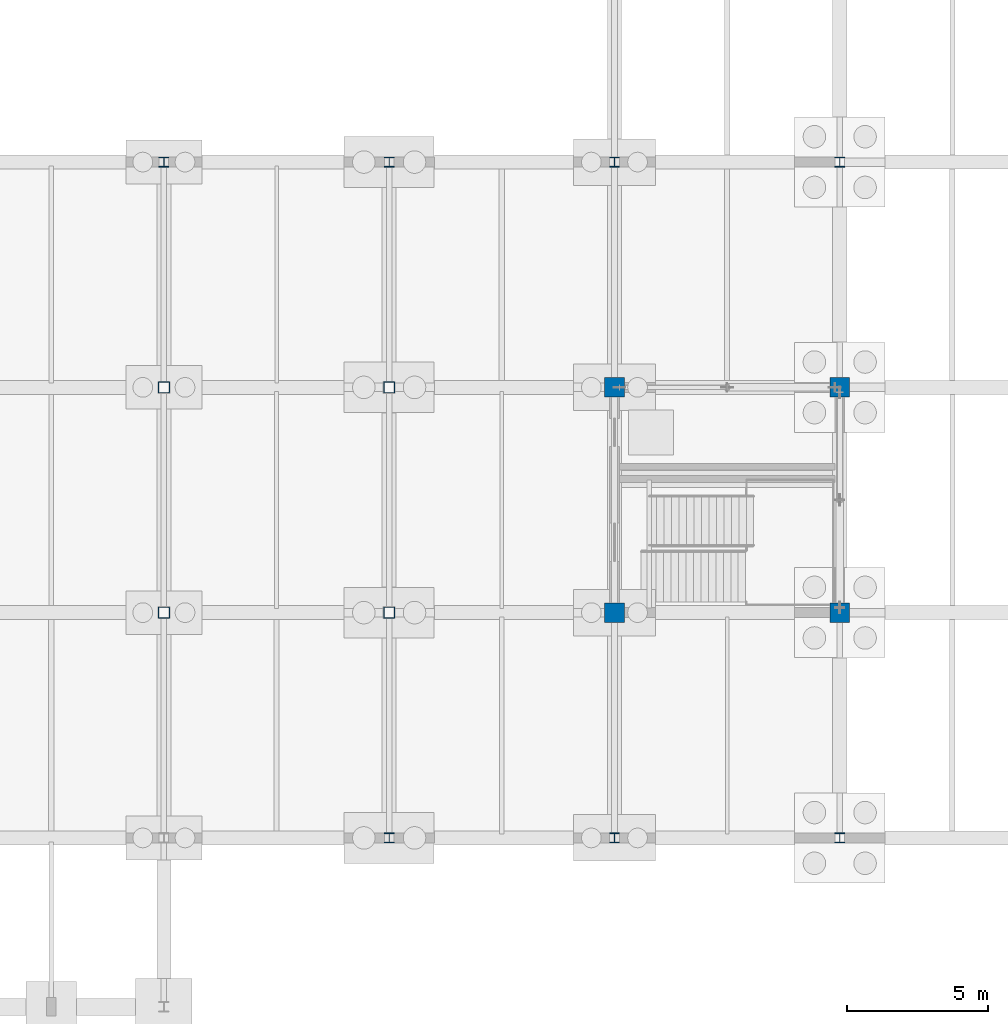
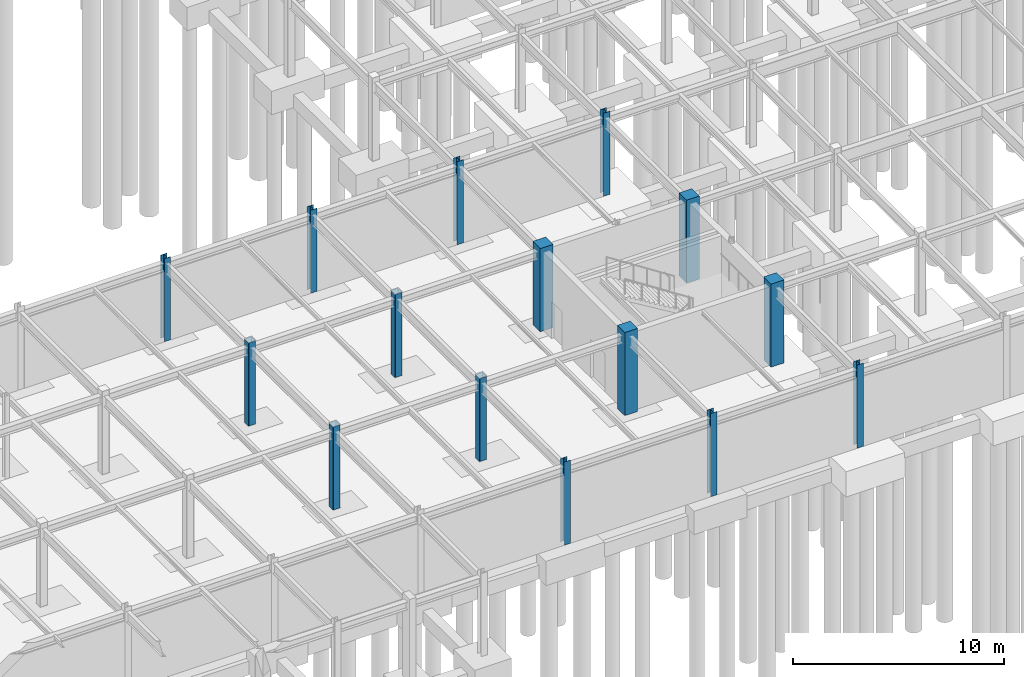
# One storey, part 18 of 72: 15 columns.
"""IFC4 building model written with IfcOpenShell, lengths in metres."""

import ifcopenshell
import ifcopenshell.guid

model = None  # the IFC model being written
_history = None  # IfcOwnerHistory: only IFC2X3 demands one
_inside = {}  # id of a spatial element -> (the spatial element, [elements in it])
_under = {}  # id of a project, library or spatial element -> (it, [spatial elements below it])
_declared = {}  # id of a project -> (the project, [libraries it declares])
_typed = {}  # id of a type object -> (the type object, [elements of that type])
_made_of = {}  # id of a material, layer set ... -> (it, [elements and type objects made of it])


def new_model(schema):
    """Start an empty IFC model of exactly this schema.

    Asked for "IFC4X3", IfcOpenShell would pick the latest addendum, in which some entities
    have other attributes; the version numbers below select the first issue.
    IFC2X3 requires an IfcOwnerHistory on every rooted entity: one is made here for all.
    """
    global model, _history
    if schema == "IFC4X3":
        model = ifcopenshell.file(schema_version=(4, 3, 0, 0))
    else:
        model = ifcopenshell.file(schema=schema)
    _inside.clear()
    _under.clear()
    _declared.clear()
    _typed.clear()
    _made_of.clear()
    _history = None
    if model.schema == "IFC2X3":
        org = make("IfcOrganization", Name="unknown")
        user = make(
            "IfcPersonAndOrganization",
            ThePerson=make("IfcPerson", FamilyName="unknown"),
            TheOrganization=org,
        )
        app = make(
            "IfcApplication",
            ApplicationDeveloper=org,
            Version="unknown",
            ApplicationFullName="unknown",
            ApplicationIdentifier="unknown",
        )
        _history = make(
            "IfcOwnerHistory",
            OwningUser=user,
            OwningApplication=app,
            ChangeAction="ADDED",
            CreationDate=0,
        )
    return model


def make(cls, **values):
    """One entity of the class cls with the attributes given. An attribute that is None is left unset."""
    return model.create_entity(
        cls, **{name: value for name, value in values.items() if value is not None}
    )


def rooted(cls, **values):
    """An entity with a GlobalId (a new one), such as an element, a storey or a relation."""
    return make(cls, GlobalId=ifcopenshell.guid.new(), OwnerHistory=_history, **values)


def si_unit(unit_type, name, prefix=None):
    """IfcSIUnit, for example si_unit("LENGTHUNIT", "METRE", prefix="MILLI")."""
    return make("IfcSIUnit", UnitType=unit_type, Prefix=prefix, Name=name)


def assignment(units):
    """IfcUnitAssignment: the units of a project."""
    return None if units is None else make("IfcUnitAssignment", Units=units)


def point(xyz):
    """IfcCartesianPoint."""
    return None if xyz is None else make("IfcCartesianPoint", Coordinates=xyz)


def direction(xyz):
    """IfcDirection."""
    return None if xyz is None else make("IfcDirection", DirectionRatios=xyz)


def frame(location, z_axis=None, x_axis=None):
    """IfcAxis2Placement3D, a coordinate frame: its origin and axes. An axis left out is left unset."""
    return make(
        "IfcAxis2Placement3D",
        Location=point(location),
        Axis=direction(z_axis),
        RefDirection=direction(x_axis),
    )


def frame_2d(location, x_axis=None):
    """IfcAxis2Placement2D, a coordinate frame in the plane: its origin and x axis."""
    return make(
        "IfcAxis2Placement2D", Location=point(location), RefDirection=direction(x_axis)
    )


def origin():
    """The frame at (0, 0, 0) with its axes left unset."""
    return frame((0.0, 0.0, 0.0))


def origin_2d():
    """The frame at (0, 0) in the plane with its x axis left unset."""
    return frame_2d((0.0, 0.0))


def place(relative_to, where):
    """IfcLocalPlacement: puts the frame where relative to a parent placement (None: the world)."""
    return make(
        "IfcLocalPlacement", PlacementRelTo=relative_to, RelativePlacement=where
    )


def context(
    kind, dimensions, precision=None, world=None, true_north=None, identifier=None
):
    """IfcGeometricRepresentationContext, for example the 3D "Model" context."""
    return make(
        "IfcGeometricRepresentationContext",
        ContextIdentifier=identifier,
        ContextType=kind,
        CoordinateSpaceDimension=dimensions,
        Precision=precision,
        WorldCoordinateSystem=world,
        TrueNorth=true_north,
    )


def subcontext(parent, identifier, kind, view, scale=None):
    """IfcGeometricRepresentationSubContext, for example "Body" below "Model"."""
    return make(
        "IfcGeometricRepresentationSubContext",
        ContextIdentifier=identifier,
        ContextType=kind,
        ParentContext=parent,
        TargetScale=scale,
        TargetView=view,
    )


def project(units=None, contexts=None):
    """IfcProject with its units and contexts."""
    return rooted(
        "IfcProject",
        Name="project",
        RepresentationContexts=contexts,
        UnitsInContext=assignment(units),
    )


def spatial(cls, under=None, at=None, **own):
    """A site, building, storey or space (cls), placed at a placement, below another one or the project."""
    s = rooted(cls, ObjectPlacement=at, **own)
    if under is not None:
        _under.setdefault(under.id(), (under, []))[1].append(s)
    return s


def profile(cls, at=None, kind="AREA", **sizes):
    """A parametric profile (cls). Its sizes go by their IFC names, for example OverallWidth=200.0."""
    return make(cls, ProfileType=kind, Position=at, **sizes)


def rectangle(**sizes):
    """IfcRectangleProfileDef."""
    return profile("IfcRectangleProfileDef", **sizes)


def hollow_rectangle(**sizes):
    """IfcRectangleHollowProfileDef."""
    return profile("IfcRectangleHollowProfileDef", **sizes)


def i_section(**sizes):
    """IfcIShapeProfileDef."""
    return profile("IfcIShapeProfileDef", **sizes)


def extrude(swept, where, along, depth):
    """IfcExtrudedAreaSolid: the profile swept, set in the frame where, extruded along a direction by depth."""
    return make(
        "IfcExtrudedAreaSolid",
        SweptArea=swept,
        Position=where,
        ExtrudedDirection=direction(along),
        Depth=depth,
    )


def shape(context_of_items, identifier, shape_type, items):
    """IfcShapeRepresentation: the items that make up one representation, for example the "Body"."""
    return make(
        "IfcShapeRepresentation",
        ContextOfItems=context_of_items,
        RepresentationIdentifier=identifier,
        RepresentationType=shape_type,
        Items=items,
    )


def material(Name=None, Category=None):
    """IfcMaterial."""
    return make("IfcMaterial", Name=Name, Category=Category)


def material_profile(
    of_material, cross_section, Name=None, Category=None, Priority=None
):
    """IfcMaterialProfile: a cross section and its material."""
    return make(
        "IfcMaterialProfile",
        Name=Name,
        Material=of_material,
        Profile=cross_section,
        Priority=Priority,
        Category=Category,
    )


def profile_set(profiles, Name=None, composite=None):
    """IfcMaterialProfileSet."""
    return make(
        "IfcMaterialProfileSet",
        Name=Name,
        MaterialProfiles=profiles,
        CompositeProfile=composite,
    )


def made_of(thing, what):
    """Note that an element or type object is made of a material, layer set ...; save() writes the relation."""
    if what is not None:
        _made_of.setdefault(what.id(), (what, []))[1].append(thing)
    return thing


def type_object(cls, material=None, **own):
    """A type object (cls), such as IfcWallType, which elements share."""
    return made_of(rooted(cls, **own), material)


def element(
    cls,
    number,
    at=None,
    inside=None,
    cuts=None,
    type_object=None,
    material=None,
    context=None,
    identifier="Body",
    shape_type=None,
    held_by="IfcProductDefinitionShape",
    body=None,
    shapes=None,
    **own,
):
    """One element of the class cls, such as IfcWall. Its Tag is "e" and its number.

    at: its placement. inside: the storey or other place that contains it. cuts: it is an
    opening in that element (IfcRelVoidsElement). A single representation is given by context,
    identifier, shape_type and body (its items); several are given by shapes. held_by: the class
    of the entity that holds the representations. save() writes the other relations.
    """
    e = rooted(cls, Tag="e%d" % number, ObjectPlacement=at, **own)
    if body is not None:
        shapes = [shape(context, identifier, shape_type, body)]
    if shapes is not None:
        e.Representation = make(held_by, Representations=shapes)
    if inside is not None:
        _inside.setdefault(inside.id(), (inside, []))[1].append(e)
    if cuts is not None:
        rooted(
            "IfcRelVoidsElement", RelatingBuildingElement=cuts, RelatedOpeningElement=e
        )
    if type_object is not None:
        _typed.setdefault(type_object.id(), (type_object, []))[1].append(e)
    return made_of(e, material)


def aggregate(whole, parts):
    """IfcRelAggregates: a whole, such as a stair, and the parts it consists of."""
    return rooted("IfcRelAggregates", RelatingObject=whole, RelatedObjects=parts)


def save(model, path):
    """Write the relations noted so far, then the file.

    IfcRelAggregates (storeys below a building ...), IfcRelContainedInSpatialStructure (elements
    in a storey), IfcRelDefinesByType, IfcRelAssociatesMaterial and IfcRelDeclares: one each for
    every whole, place, type object, material and project.
    """
    for whole, parts in _under.values():
        aggregate(whole, parts)
    for where, things in _inside.values():
        rooted(
            "IfcRelContainedInSpatialStructure",
            RelatedElements=things,
            RelatingStructure=where,
        )
    for kind, things in _typed.values():
        rooted("IfcRelDefinesByType", RelatedObjects=things, RelatingType=kind)
    for what, things in _made_of.values():
        rooted("IfcRelAssociatesMaterial", RelatedObjects=things, RelatingMaterial=what)
    for by, libraries in _declared.values():
        rooted("IfcRelDeclares", RelatingContext=by, RelatedDefinitions=libraries)
    model.write(path)


model = new_model("IFC4")

# Units and contexts
model_context = context("Model", 3, precision=1e-05, world=origin(), true_north=direction((0.0, 1.0)))
body_context = subcontext(model_context, "Body", "Model", "MODEL_VIEW")
ifc_project = project(units=[si_unit("LENGTHUNIT", "METRE"), si_unit("AREAUNIT", "SQUARE_METRE"), si_unit("VOLUMEUNIT", "CUBIC_METRE"), si_unit("PLANEANGLEUNIT", "RADIAN"), si_unit("MASSUNIT", "GRAM", prefix="KILO")], contexts=[model_context])

# Site, building, storey
site_placement = place(None, origin())
site = spatial("IfcSite", under=ifc_project, at=site_placement, CompositionType="ELEMENT")
building_placement = place(site_placement, origin())
building = spatial("IfcBuilding", under=site, at=building_placement, Name="Zhaolan Boulevard Law Courts", CompositionType="ELEMENT")
storey_placement = place(building_placement, frame((0.0, 0.0, -4.800048828125)))
storey = spatial("IfcBuildingStorey", under=building, at=storey_placement, Name="B1", CompositionType="ELEMENT", Elevation=-4.800048828125)

# Columns
ifc_material_1 = material(Name="Structural steel Q355B", Category="steel")
ifc_material_profile_1 = material_profile(ifc_material_1, hollow_rectangle(XDim=0.39990234375, YDim=0.39990234375, WallThickness=0.01611328125, InnerFilletRadius=0.01611328125, OuterFilletRadius=0.031982421875, at=origin_2d()), Name="BOX400x400x16")
ifc_profile_set_1 = profile_set([ifc_material_profile_1], Name="Structural steel Q355B")
column_type_1 = type_object("IfcColumnType", Name="COL BOX400", PredefinedType="COLUMN", material=ifc_profile_set_1)
for number, where, z_axis, x_axis, name in (
    (1, (100.0, 14.0, 0.0), (0.0, 0.0, 1.0), (1.0, 0.0, 0.0), "Column C-13C (B1)"),
    (2, (100.0, 22.0, 0.0), (0.0, 0.0, 1.0), (1.0, 0.0, 0.0), "Column C-13D (B1)"),
    (3, (108.0, 14.0, 0.0), (0.0, 0.0, 1.0), (1.0, 0.0, 0.0), "Column C-14C (B1)"),
    (4, (108.0, 22.0, 0.0), (0.0, 0.0, 1.0), (1.0, 0.0, 0.0), "Column C-14D (B1)"),
):
    element("IfcColumn", number, at=place(storey_placement, frame(where, z_axis=z_axis, x_axis=x_axis)), inside=storey, type_object=column_type_1, Name=name, PredefinedType="COLUMN", context=body_context, shape_type="SweptSolid", body=[
        extrude(hollow_rectangle(XDim=0.39990234375, YDim=0.39990234375, WallThickness=0.01611328125, InnerFilletRadius=0.01611328125, OuterFilletRadius=0.031982421875, at=origin_2d()), origin(), (0.0, 0.0, 1.0), 4.800048828125),
    ])
ifc_material_2 = material(Name="Structural steel Q355B", Category="steel")
ifc_material_profile_2 = material_profile(ifc_material_2, i_section(OverallWidth=0.35009765625, OverallDepth=0.35009765625, WebThickness=0.011962890625, FlangeThickness=0.01904296875, FilletRadius=0.02001953125, at=origin_2d()), Name="HW350x350")
ifc_profile_set_2 = profile_set([ifc_material_profile_2], Name="Structural steel Q355B")
column_type_2 = type_object("IfcColumnType", Name="COL HW350", PredefinedType="COLUMN", material=ifc_profile_set_2)
for number, where, z_axis, x_axis, name in (
    (5, (100.0, 30.0, 0.0), (0.0, 0.0, 1.0), (1.0, 0.0, 0.0), "Column C-13E (B1)"),
    (6, (108.0, 6.0, 0.0), (0.0, 0.0, 1.0), (1.0, 0.0, 0.0), "Column C-14B (B1)"),
    (7, (108.0, 30.0, 0.0), (0.0, 0.0, 1.0), (1.0, 0.0, 0.0), "Column C-14E (B1)"),
    (8, (116.0, 6.0, 0.0), (0.0, 0.0, 1.0), (1.0, 0.0, 0.0), "Column C-15B (B1)"),
    (9, (116.0, 30.0, 0.0), (0.0, 0.0, 1.0), (1.0, 0.0, 0.0), "Column C-15E (B1)"),
    (10, (124.0, 6.0, 0.0), (0.0, 0.0, 1.0), (1.0, 0.0, 0.0), "Column C-16B (B1)"),
    (11, (124.0, 30.0, 0.0), (0.0, 0.0, 1.0), (1.0, 0.0, 0.0), "Column C-16E (B1)"),
):
    element("IfcColumn", number, at=place(storey_placement, frame(where, z_axis=z_axis, x_axis=x_axis)), inside=storey, type_object=column_type_2, Name=name, PredefinedType="COLUMN", context=body_context, shape_type="SweptSolid", body=[
        extrude(i_section(OverallWidth=0.35009765625, OverallDepth=0.35009765625, WebThickness=0.011962890625, FlangeThickness=0.01904296875, FilletRadius=0.02001953125, at=origin_2d()), origin(), (0.0, 0.0, 1.0), 4.800048828125),
    ])
ifc_material_3 = material(Name="Concrete C50", Category="concrete")
ifc_material_profile_3 = material_profile(ifc_material_3, rectangle(XDim=0.699951171875, YDim=0.699951171875, at=origin_2d()), Name="RC700x700")
ifc_profile_set_3 = profile_set([ifc_material_profile_3], Name="Concrete C50")
column_type_3 = type_object("IfcColumnType", Name="COL RC700", PredefinedType="COLUMN", material=ifc_profile_set_3)
for number, where, z_axis, x_axis, name in (
    (12, (116.0, 14.0, 0.0), (0.0, 0.0, 1.0), (1.0, 0.0, 0.0), "Column C-15C (B1)"),
    (13, (116.0, 22.0, 0.0), (0.0, 0.0, 1.0), (1.0, 0.0, 0.0), "Column C-15D (B1)"),
    (14, (124.0, 14.0, 0.0), (0.0, 0.0, 1.0), (1.0, 0.0, 0.0), "Column C-16C (B1)"),
    (15, (124.0, 22.0, 0.0), (0.0, 0.0, 1.0), (1.0, 0.0, 0.0), "Column C-16D (B1)"),
):
    element("IfcColumn", number, at=place(storey_placement, frame(where, z_axis=z_axis, x_axis=x_axis)), inside=storey, type_object=column_type_3, Name=name, PredefinedType="COLUMN", context=body_context, shape_type="SweptSolid", body=[
        extrude(rectangle(XDim=0.699951171875, YDim=0.699951171875, at=origin_2d()), origin(), (0.0, 0.0, 1.0), 4.800048828125),
    ])

save(model, "model.ifc")
